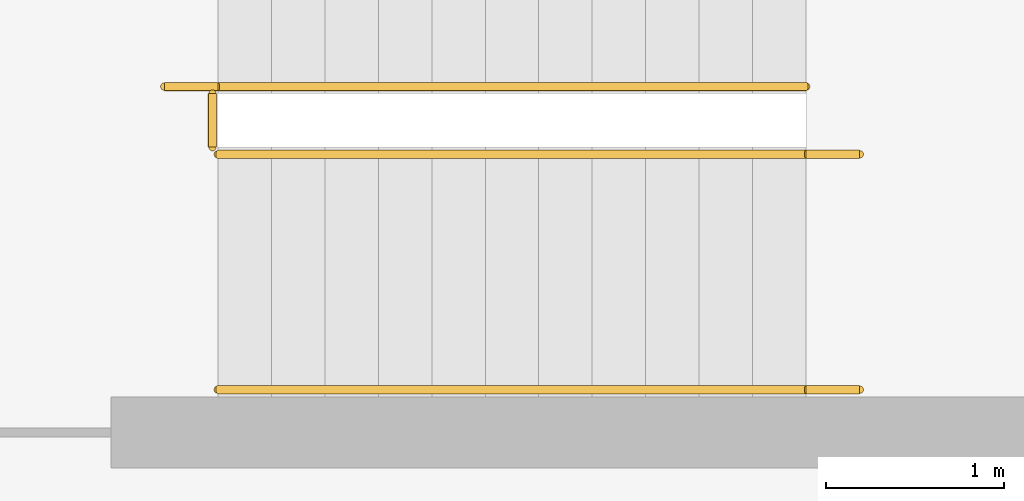
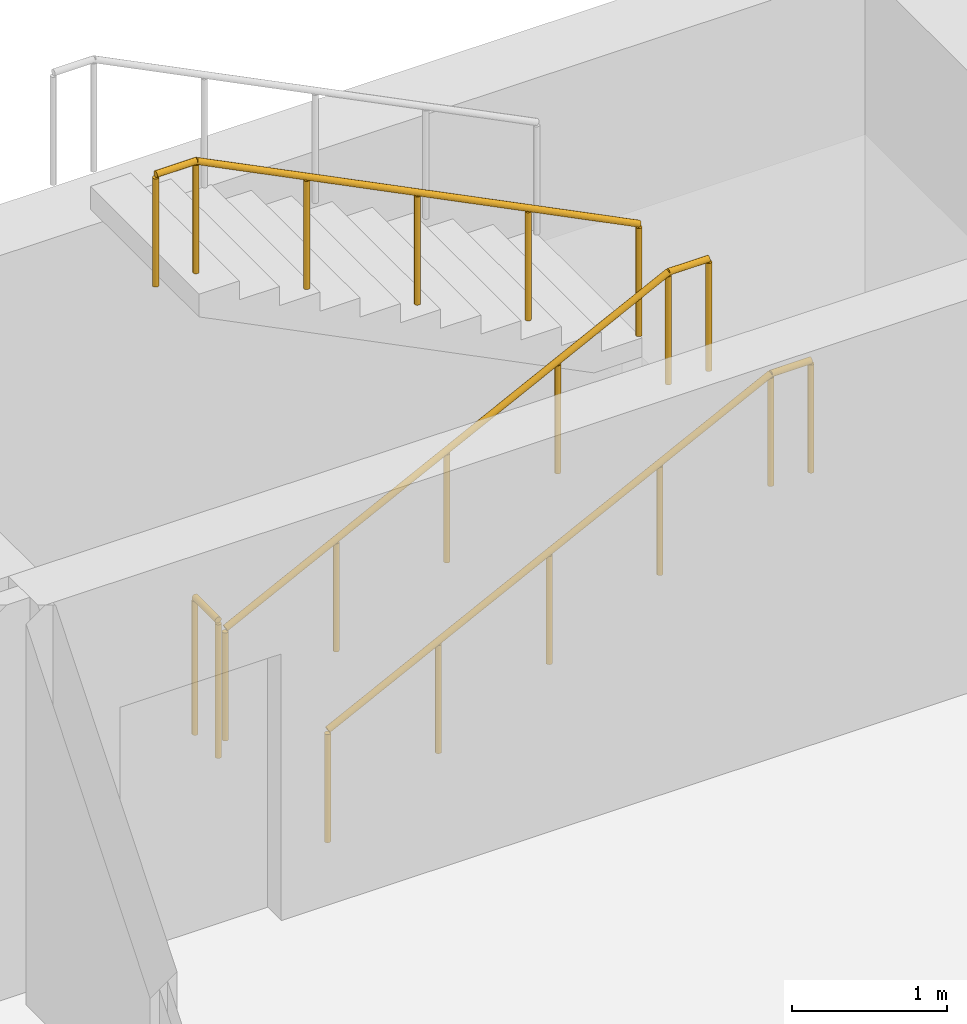
# One storey, part 10 of 12: 4 railings.
"""IFC4 building model written with IfcOpenShell, lengths in metres."""

import ifcopenshell
import ifcopenshell.guid

model = None  # the IFC model being written
_history = None  # IfcOwnerHistory: only IFC2X3 demands one
_inside = {}  # id of a spatial element -> (the spatial element, [elements in it])
_under = {}  # id of a project, library or spatial element -> (it, [spatial elements below it])
_declared = {}  # id of a project -> (the project, [libraries it declares])
_typed = {}  # id of a type object -> (the type object, [elements of that type])
_made_of = {}  # id of a material, layer set ... -> (it, [elements and type objects made of it])


def new_model(schema):
    """Start an empty IFC model of exactly this schema.

    Asked for "IFC4X3", IfcOpenShell would pick the latest addendum, in which some entities
    have other attributes; the version numbers below select the first issue.
    IFC2X3 requires an IfcOwnerHistory on every rooted entity: one is made here for all.
    """
    global model, _history
    if schema == "IFC4X3":
        model = ifcopenshell.file(schema_version=(4, 3, 0, 0))
    else:
        model = ifcopenshell.file(schema=schema)
    _inside.clear()
    _under.clear()
    _declared.clear()
    _typed.clear()
    _made_of.clear()
    _history = None
    if model.schema == "IFC2X3":
        org = make("IfcOrganization", Name="unknown")
        user = make(
            "IfcPersonAndOrganization",
            ThePerson=make("IfcPerson", FamilyName="unknown"),
            TheOrganization=org,
        )
        app = make(
            "IfcApplication",
            ApplicationDeveloper=org,
            Version="unknown",
            ApplicationFullName="unknown",
            ApplicationIdentifier="unknown",
        )
        _history = make(
            "IfcOwnerHistory",
            OwningUser=user,
            OwningApplication=app,
            ChangeAction="ADDED",
            CreationDate=0,
        )
    return model


def make(cls, **values):
    """One entity of the class cls with the attributes given. An attribute that is None is left unset."""
    return model.create_entity(
        cls, **{name: value for name, value in values.items() if value is not None}
    )


def rooted(cls, **values):
    """An entity with a GlobalId (a new one), such as an element, a storey or a relation."""
    return make(cls, GlobalId=ifcopenshell.guid.new(), OwnerHistory=_history, **values)


def si_unit(unit_type, name, prefix=None):
    """IfcSIUnit, for example si_unit("LENGTHUNIT", "METRE", prefix="MILLI")."""
    return make("IfcSIUnit", UnitType=unit_type, Prefix=prefix, Name=name)


def assignment(units):
    """IfcUnitAssignment: the units of a project."""
    return None if units is None else make("IfcUnitAssignment", Units=units)


def point(xyz):
    """IfcCartesianPoint."""
    return None if xyz is None else make("IfcCartesianPoint", Coordinates=xyz)


def direction(xyz):
    """IfcDirection."""
    return None if xyz is None else make("IfcDirection", DirectionRatios=xyz)


def frame(location, z_axis=None, x_axis=None):
    """IfcAxis2Placement3D, a coordinate frame: its origin and axes. An axis left out is left unset."""
    return make(
        "IfcAxis2Placement3D",
        Location=point(location),
        Axis=direction(z_axis),
        RefDirection=direction(x_axis),
    )


def frame_2d(location, x_axis=None):
    """IfcAxis2Placement2D, a coordinate frame in the plane: its origin and x axis."""
    return make(
        "IfcAxis2Placement2D", Location=point(location), RefDirection=direction(x_axis)
    )


def origin():
    """The frame at (0, 0, 0) with its axes left unset."""
    return frame((0.0, 0.0, 0.0))


def origin_2d():
    """The frame at (0, 0) in the plane with its x axis left unset."""
    return frame_2d((0.0, 0.0))


def place(relative_to, where):
    """IfcLocalPlacement: puts the frame where relative to a parent placement (None: the world)."""
    return make(
        "IfcLocalPlacement", PlacementRelTo=relative_to, RelativePlacement=where
    )


def context(
    kind, dimensions, precision=None, world=None, true_north=None, identifier=None
):
    """IfcGeometricRepresentationContext, for example the 3D "Model" context."""
    return make(
        "IfcGeometricRepresentationContext",
        ContextIdentifier=identifier,
        ContextType=kind,
        CoordinateSpaceDimension=dimensions,
        Precision=precision,
        WorldCoordinateSystem=world,
        TrueNorth=true_north,
    )


def subcontext(parent, identifier, kind, view, scale=None):
    """IfcGeometricRepresentationSubContext, for example "Body" below "Model"."""
    return make(
        "IfcGeometricRepresentationSubContext",
        ContextIdentifier=identifier,
        ContextType=kind,
        ParentContext=parent,
        TargetScale=scale,
        TargetView=view,
    )


def project(units=None, contexts=None):
    """IfcProject with its units and contexts."""
    return rooted(
        "IfcProject",
        Name="project",
        RepresentationContexts=contexts,
        UnitsInContext=assignment(units),
    )


def spatial(cls, under=None, at=None, **own):
    """A site, building, storey or space (cls), placed at a placement, below another one or the project."""
    s = rooted(cls, ObjectPlacement=at, **own)
    if under is not None:
        _under.setdefault(under.id(), (under, []))[1].append(s)
    return s


def profile(cls, at=None, kind="AREA", **sizes):
    """A parametric profile (cls). Its sizes go by their IFC names, for example OverallWidth=200.0."""
    return make(cls, ProfileType=kind, Position=at, **sizes)


def circle(**sizes):
    """IfcCircleProfileDef."""
    return profile("IfcCircleProfileDef", **sizes)


def extrude(swept, where, along, depth):
    """IfcExtrudedAreaSolid: the profile swept, set in the frame where, extruded along a direction by depth."""
    return make(
        "IfcExtrudedAreaSolid",
        SweptArea=swept,
        Position=where,
        ExtrudedDirection=direction(along),
        Depth=depth,
    )


def shape(context_of_items, identifier, shape_type, items):
    """IfcShapeRepresentation: the items that make up one representation, for example the "Body"."""
    return make(
        "IfcShapeRepresentation",
        ContextOfItems=context_of_items,
        RepresentationIdentifier=identifier,
        RepresentationType=shape_type,
        Items=items,
    )


def material(Name=None, Category=None):
    """IfcMaterial."""
    return make("IfcMaterial", Name=Name, Category=Category)


def made_of(thing, what):
    """Note that an element or type object is made of a material, layer set ...; save() writes the relation."""
    if what is not None:
        _made_of.setdefault(what.id(), (what, []))[1].append(thing)
    return thing


def type_object(cls, material=None, **own):
    """A type object (cls), such as IfcWallType, which elements share."""
    return made_of(rooted(cls, **own), material)


def element(
    cls,
    number,
    at=None,
    inside=None,
    cuts=None,
    type_object=None,
    material=None,
    context=None,
    identifier="Body",
    shape_type=None,
    held_by="IfcProductDefinitionShape",
    body=None,
    shapes=None,
    **own,
):
    """One element of the class cls, such as IfcWall. Its Tag is "e" and its number.

    at: its placement. inside: the storey or other place that contains it. cuts: it is an
    opening in that element (IfcRelVoidsElement). A single representation is given by context,
    identifier, shape_type and body (its items); several are given by shapes. held_by: the class
    of the entity that holds the representations. save() writes the other relations.
    """
    e = rooted(cls, Tag="e%d" % number, ObjectPlacement=at, **own)
    if body is not None:
        shapes = [shape(context, identifier, shape_type, body)]
    if shapes is not None:
        e.Representation = make(held_by, Representations=shapes)
    if inside is not None:
        _inside.setdefault(inside.id(), (inside, []))[1].append(e)
    if cuts is not None:
        rooted(
            "IfcRelVoidsElement", RelatingBuildingElement=cuts, RelatedOpeningElement=e
        )
    if type_object is not None:
        _typed.setdefault(type_object.id(), (type_object, []))[1].append(e)
    return made_of(e, material)


def aggregate(whole, parts):
    """IfcRelAggregates: a whole, such as a stair, and the parts it consists of."""
    return rooted("IfcRelAggregates", RelatingObject=whole, RelatedObjects=parts)


def save(model, path):
    """Write the relations noted so far, then the file.

    IfcRelAggregates (storeys below a building ...), IfcRelContainedInSpatialStructure (elements
    in a storey), IfcRelDefinesByType, IfcRelAssociatesMaterial and IfcRelDeclares: one each for
    every whole, place, type object, material and project.
    """
    for whole, parts in _under.values():
        aggregate(whole, parts)
    for where, things in _inside.values():
        rooted(
            "IfcRelContainedInSpatialStructure",
            RelatedElements=things,
            RelatingStructure=where,
        )
    for kind, things in _typed.values():
        rooted("IfcRelDefinesByType", RelatedObjects=things, RelatingType=kind)
    for what, things in _made_of.values():
        rooted("IfcRelAssociatesMaterial", RelatedObjects=things, RelatingMaterial=what)
    for by, libraries in _declared.values():
        rooted("IfcRelDeclares", RelatingContext=by, RelatedDefinitions=libraries)
    model.write(path)


model = new_model("IFC4")

# Units and contexts
model_context = context("Model", 3, precision=1e-05, world=origin(), true_north=direction((0.0, 1.0)))
body_context = subcontext(model_context, "Body", "Model", "MODEL_VIEW")
ifc_project = project(units=[si_unit("LENGTHUNIT", "METRE"), si_unit("AREAUNIT", "SQUARE_METRE"), si_unit("VOLUMEUNIT", "CUBIC_METRE"), si_unit("PLANEANGLEUNIT", "RADIAN"), si_unit("MASSUNIT", "GRAM", prefix="KILO")], contexts=[model_context])

# Site, building, storey
site_placement = place(None, origin())
site = spatial("IfcSite", under=ifc_project, at=site_placement, CompositionType="ELEMENT")
building_placement = place(site_placement, origin())
building = spatial("IfcBuilding", under=site, at=building_placement, Name="Yavir Park General Hospital", CompositionType="ELEMENT")
storey_placement = place(building_placement, frame((0.0, 0.0, -7.800048828125)))
storey = spatial("IfcBuildingStorey", under=building, at=storey_placement, Name="B2", CompositionType="ELEMENT", Elevation=-7.800048828125)

# Railings
ifc_material_1 = material(Name="Steel balustrade with infill rods", Category="steel")
railing_type_1 = type_object("IfcRailingType", Name="Stair guard, steel balustrade 1100 mm", PredefinedType="GUARDRAIL", material=ifc_material_1)
railing_1_placement = place(storey_placement, frame((119.969970703125, 31.60009765625, 0.0)))
element("IfcRailing", 1, at=railing_1_placement, inside=storey, type_object=railing_type_1, Name="Stair well guard BS4 B2", PredefinedType="GUARDRAIL", context=body_context, shape_type="SweptSolid", body=[
    extrude(circle(Radius=0.02392578125, at=origin_2d()), frame((0.0, 0.0, 1.076171875), z_axis=(0.0, 1.0, 0.0), x_axis=(-1.0, 0.0, 0.0)), (0.0, 0.0, 1.0), 0.2998046875),
    extrude(circle(Radius=0.02099609375, at=origin_2d()), origin(), (0.0, 0.0, 1.0), 1.052001953125),
    extrude(circle(Radius=0.02099609375, at=origin_2d()), frame((0.0, 0.2998046875, 0.0)), (0.0, 0.0, 1.0), 1.052001953125),
])
ifc_material_2 = material(Name="Stainless steel tube 48 mm", Category="steel")
railing_type_2 = type_object("IfcRailingType", Name="Stair handrail, steel tube, 900 mm above the nosings", PredefinedType="HANDRAIL", material=ifc_material_2)
for number, where, name in (
    (2, (120.0, 30.239990234375, 0.150146484375), "Handrail BS4 B2 1"),
    (3, (120.0, 31.56005859375, 0.150146484375), "Handrail BS4 B2 2"),
):
    element("IfcRailing", number, at=place(storey_placement, frame(where)), inside=storey, type_object=railing_type_2, Name=name, PredefinedType="HANDRAIL", context=body_context, shape_type="SweptSolid", body=[
        extrude(circle(Radius=0.02392578125, at=origin_2d()), frame((0.0, 0.0, 0.8759765625), z_axis=(0.894440424912, 0.0, 0.447187126696), x_axis=(0.0, 1.0, 0.0)), (0.0, 0.0, 1.0), 3.689453125),
        extrude(circle(Radius=0.02392578125, at=origin_2d()), frame((3.300048828125, 0.0, 2.52587890625), z_axis=(1.0, 0.0, 0.0), x_axis=(0.0, 1.0, 0.0)), (0.0, 0.0, 1.0), 0.300048828125),
        extrude(circle(Radius=0.02099609375, at=origin_2d()), origin(), (0.0, 0.0, 1.0), 0.851806640625),
        extrude(circle(Radius=0.02099609375, at=origin_2d()), frame((0.824951171875, 0.0, 0.41259765625)), (0.0, 0.0, 1.0), 0.851806640625),
        extrude(circle(Radius=0.02099609375, at=origin_2d()), frame((1.64990234375, 0.0, 0.824951171875)), (0.0, 0.0, 1.0), 0.851806640625),
        extrude(circle(Radius=0.02099609375, at=origin_2d()), frame((2.47509765625, 0.0, 1.2373046875)), (0.0, 0.0, 1.0), 0.851806640625),
        extrude(circle(Radius=0.02099609375, at=origin_2d()), frame((3.300048828125, 0.0, 1.64990234375)), (0.0, 0.0, 1.0), 0.851806640625),
        extrude(circle(Radius=0.02099609375, at=origin_2d()), frame((3.60009765625, 0.0, 1.64990234375)), (0.0, 0.0, 1.0), 0.851806640625),
    ])
railing_2_placement = place(storey_placement, frame((123.300048828125, 31.93994140625, 1.949951171875)))
element("IfcRailing", 4, at=railing_2_placement, inside=storey, type_object=railing_type_2, Name="Handrail BS4 B2 4", PredefinedType="HANDRAIL", context=body_context, shape_type="SweptSolid", body=[
    extrude(circle(Radius=0.02392578125, at=origin_2d()), frame((0.0, 0.0, 0.8759765625), z_axis=(-0.894413956696, 0.0, 0.447240063129), x_axis=(0.0, -1.0, 0.0)), (0.0, 0.0, 1.0), 3.689697265625),
    extrude(circle(Radius=0.02392578125, at=origin_2d()), frame((-3.300048828125, 0.0, 2.52587890625), z_axis=(-1.0, 0.0, 0.0), x_axis=(0.0, -1.0, 0.0)), (0.0, 0.0, 1.0), 0.300048828125),
    extrude(circle(Radius=0.02099609375, at=origin_2d()), origin(), (0.0, 0.0, 1.0), 0.851806640625),
    extrude(circle(Radius=0.02099609375, at=origin_2d()), frame((-0.824951171875, 0.0, 0.41259765625)), (0.0, 0.0, 1.0), 0.851806640625),
    extrude(circle(Radius=0.02099609375, at=origin_2d()), frame((-1.64990234375, 0.0, 0.8251953125)), (0.0, 0.0, 1.0), 0.851806640625),
    extrude(circle(Radius=0.02099609375, at=origin_2d()), frame((-2.47509765625, 0.0, 1.237548828125)), (0.0, 0.0, 1.0), 0.851806640625),
    extrude(circle(Radius=0.02099609375, at=origin_2d()), frame((-3.300048828125, 0.0, 1.650146484375)), (0.0, 0.0, 1.0), 0.851806640625),
    extrude(circle(Radius=0.02099609375, at=origin_2d()), frame((-3.60009765625, 0.0, 1.650146484375)), (0.0, 0.0, 1.0), 0.851806640625),
])

save(model, "model.ifc")
